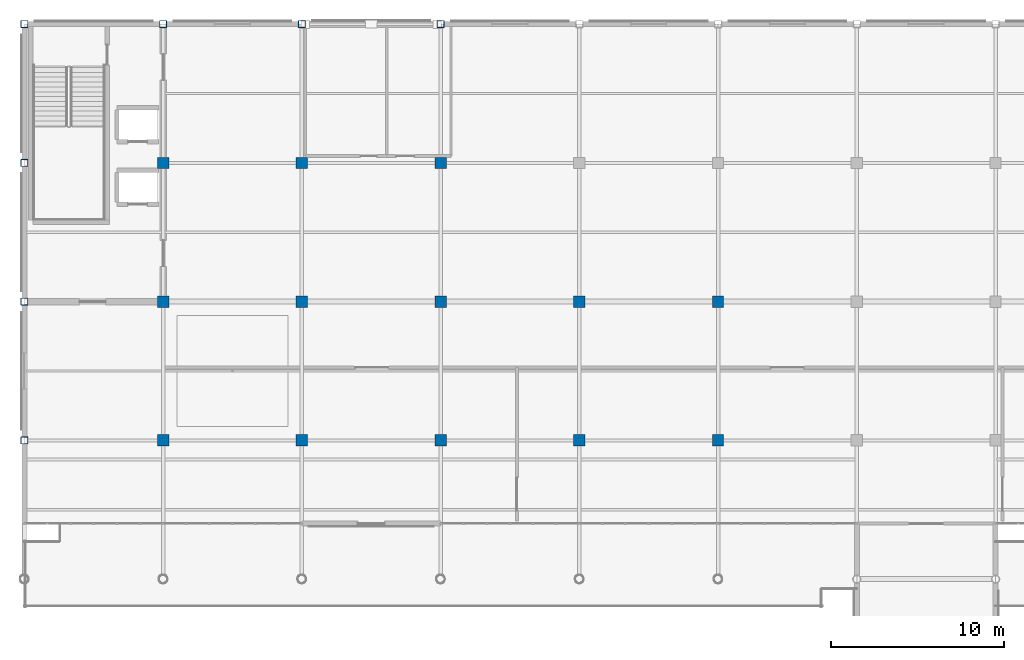
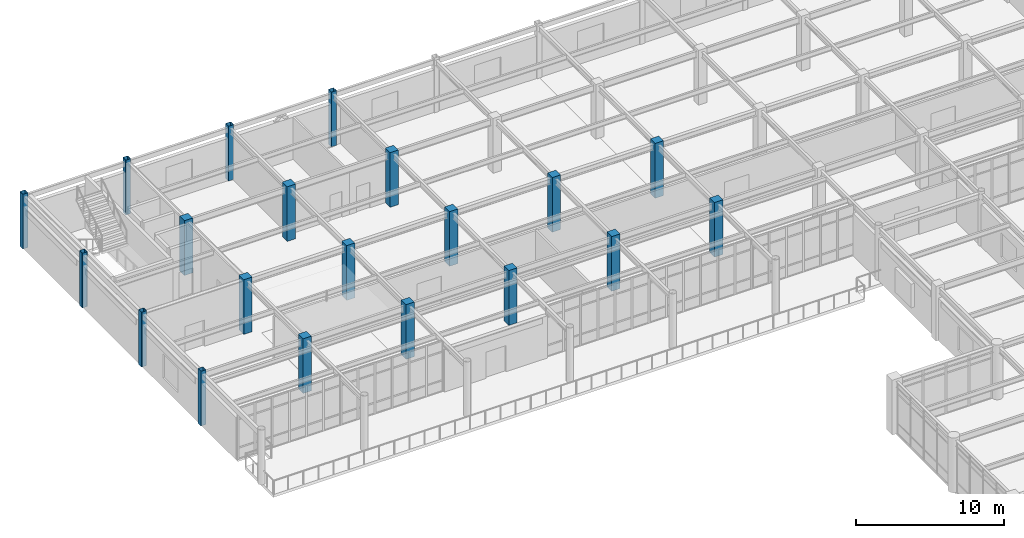
# One storey, part 9 of 75: 20 columns.
"""IFC4 building model written with IfcOpenShell, lengths in metres."""

from ifc_helpers import new_model, si_unit, direction, frame, origin, origin_2d, place, context, subcontext, project, spatial, rectangle, hollow_rectangle, extrude, material, material_profile, profile_set, type_object, element, save


model = new_model("IFC4")

# Units and contexts
model_context = context("Model", 3, precision=1e-05, world=origin(), true_north=direction((0.0, 1.0)))
body_context = subcontext(model_context, "Body", "Model", "MODEL_VIEW")
ifc_project = project(units=[si_unit("LENGTHUNIT", "METRE"), si_unit("AREAUNIT", "SQUARE_METRE"), si_unit("VOLUMEUNIT", "CUBIC_METRE"), si_unit("PLANEANGLEUNIT", "RADIAN"), si_unit("MASSUNIT", "GRAM", prefix="KILO")], contexts=[model_context])

# Site, building, storey
site_placement = place(None, origin())
site = spatial("IfcSite", under=ifc_project, at=site_placement, CompositionType="ELEMENT")
building_placement = place(site_placement, origin())
building = spatial("IfcBuilding", under=site, at=building_placement, Name="Solmirada Galleria", CompositionType="ELEMENT")
storey_placement = place(building_placement, frame((0.0, 0.0, 19.39990234375)))
storey = spatial("IfcBuildingStorey", under=building, at=storey_placement, Name="L04", CompositionType="ELEMENT", Elevation=19.39990234375)

# Columns
ifc_material_1 = material(Name="Steel S355 / ASTM A500 Grade C", Category="steel")
ifc_material_profile_1 = material_profile(ifc_material_1, hollow_rectangle(XDim=0.406005859375, YDim=0.406005859375, WallThickness=0.0146484375, InnerFilletRadius=0.0146484375, OuterFilletRadius=0.029296875, at=origin_2d()), Name="HSS16X16X5/8")
ifc_profile_set_1 = profile_set([ifc_material_profile_1], Name="Steel S355 / ASTM A500 Grade C")
column_type_1 = type_object("IfcColumnType", Name="COL-HSS16", PredefinedType="COLUMN", material=ifc_profile_set_1)
for number, where, z_axis, x_axis, name in (
    (1, (40.0, 96.0, 0.0), (0.0, 0.0, 1.0), (1.0, 0.0, 0.0), "Structural column L04-0057"),
    (2, (40.0, 104.0, 0.0), (0.0, 0.0, 1.0), (1.0, 0.0, 0.0), "Structural column L04-0064"),
    (3, (40.0, 112.0, 0.0), (0.0, 0.0, 1.0), (1.0, 0.0, 0.0), "Structural column L04-0071"),
    (4, (40.0, 120.0, 0.0), (0.0, 0.0, 1.0), (1.0, 0.0, 0.0), "Structural column L04-0078"),
    (5, (48.0, 120.0, 0.0), (0.0, 0.0, 1.0), (1.0, 0.0, 0.0), "Structural column L04-0145"),
    (6, (56.0, 120.0, 0.0), (0.0, 0.0, 1.0), (1.0, 0.0, 0.0), "Structural column L04-0212"),
    (7, (64.0, 120.0, 0.0), (0.0, 0.0, 1.0), (1.0, 0.0, 0.0), "Structural column L04-0276"),
):
    element("IfcColumn", number, at=place(storey_placement, frame(where, z_axis=z_axis, x_axis=x_axis)), inside=storey, type_object=column_type_1, Name=name, PredefinedType="COLUMN", context=body_context, shape_type="SweptSolid", body=[
        extrude(hollow_rectangle(XDim=0.406005859375, YDim=0.406005859375, WallThickness=0.0146484375, InnerFilletRadius=0.0146484375, OuterFilletRadius=0.029296875, at=origin_2d()), origin(), (0.0, 0.0, 1.0), 4.5),
    ])
ifc_material_2 = material(Name="Concrete C40/50", Category="concrete")
ifc_material_profile_2 = material_profile(ifc_material_2, rectangle(XDim=0.64990234375, YDim=0.64990234375, at=origin_2d()), Name="RC650X650")
ifc_profile_set_2 = profile_set([ifc_material_profile_2], Name="Concrete C40/50")
column_type_2 = type_object("IfcColumnType", Name="COL-RC650", PredefinedType="COLUMN", material=ifc_profile_set_2)
for number, where, z_axis, x_axis, name in (
    (8, (48.0, 96.0, 0.0), (0.0, 0.0, 1.0), (1.0, 0.0, 0.0), "Structural column L04-0124"),
    (9, (48.0, 104.0, 0.0), (0.0, 0.0, 1.0), (1.0, 0.0, 0.0), "Structural column L04-0131"),
    (10, (48.0, 112.0, 0.0), (0.0, 0.0, 1.0), (1.0, 0.0, 0.0), "Structural column L04-0138"),
    (11, (56.0, 96.0, 0.0), (0.0, 0.0, 1.0), (1.0, 0.0, 0.0), "Structural column L04-0191"),
    (12, (56.0, 104.0, 0.0), (0.0, 0.0, 1.0), (1.0, 0.0, 0.0), "Structural column L04-0198"),
    (13, (56.0, 112.0, 0.0), (0.0, 0.0, 1.0), (1.0, 0.0, 0.0), "Structural column L04-0205"),
    (14, (64.0, 96.0, 0.0), (0.0, 0.0, 1.0), (1.0, 0.0, 0.0), "Structural column L04-0255"),
    (15, (64.0, 104.0, 0.0), (0.0, 0.0, 1.0), (1.0, 0.0, 0.0), "Structural column L04-0262"),
    (16, (64.0, 112.0, 0.0), (0.0, 0.0, 1.0), (1.0, 0.0, 0.0), "Structural column L04-0269"),
    (17, (72.0, 96.0, 0.0), (0.0, 0.0, 1.0), (1.0, 0.0, 0.0), "Structural column L04-0322"),
    (18, (72.0, 104.0, 0.0), (0.0, 0.0, 1.0), (1.0, 0.0, 0.0), "Structural column L04-0329"),
    (19, (80.0, 96.0, 0.0), (0.0, 0.0, 1.0), (1.0, 0.0, 0.0), "Structural column L04-0439"),
    (20, (80.0, 104.0, 0.0), (0.0, 0.0, 1.0), (1.0, 0.0, 0.0), "Structural column L04-0446"),
):
    element("IfcColumn", number, at=place(storey_placement, frame(where, z_axis=z_axis, x_axis=x_axis)), inside=storey, type_object=column_type_2, Name=name, PredefinedType="COLUMN", context=body_context, shape_type="SweptSolid", body=[
        extrude(rectangle(XDim=0.64990234375, YDim=0.64990234375, at=origin_2d()), origin(), (0.0, 0.0, 1.0), 4.5),
    ])

save(model, "model.ifc")
